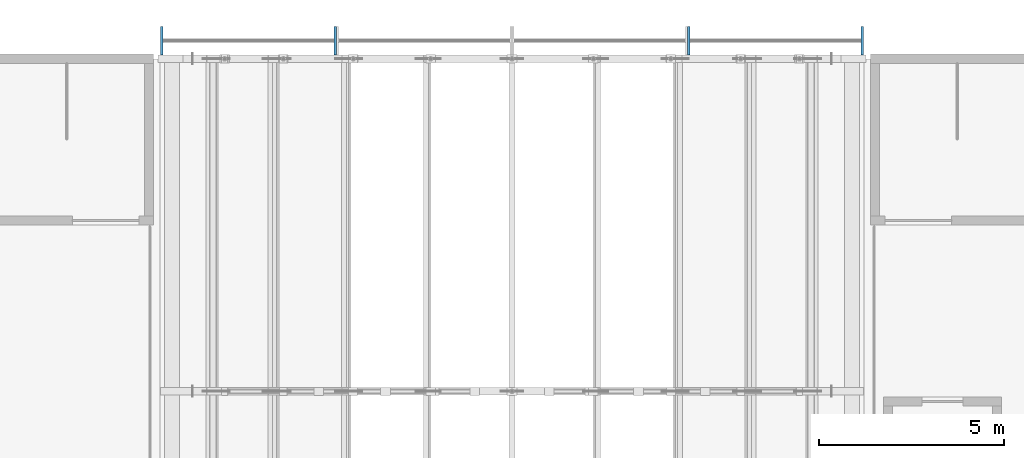
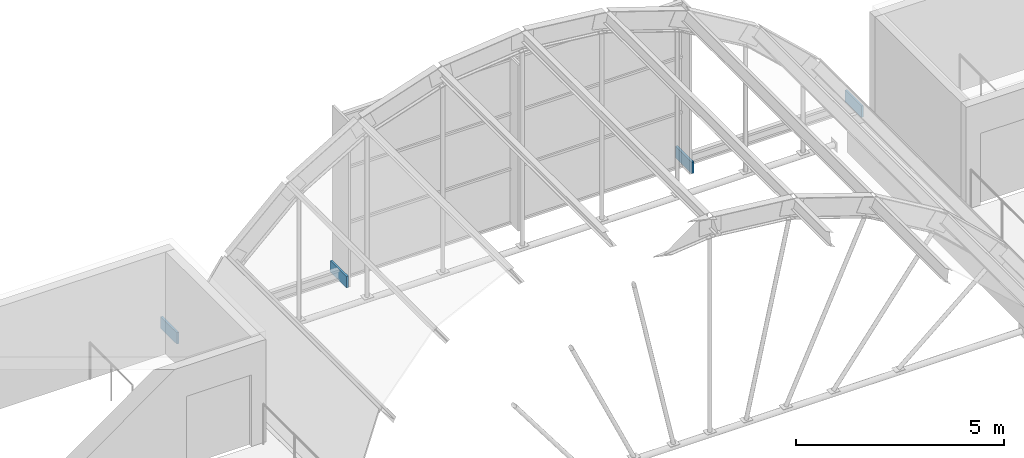
# One storey, part 39 of 79: 4 members, 2 elements without a shape of their own.
"""IFC4 building model written with IfcOpenShell, lengths in metres."""

from ifc_helpers import new_model, si_unit, direction, frame, origin, origin_2d, place, context, subcontext, project, spatial, rectangle, extrude, material, layer, layer_set, material_profile, profile_set, type_object, element, aggregate, save


model = new_model("IFC4")

# Units and contexts
model_context = context("Model", 3, precision=1e-05, world=origin(), true_north=direction((0.0, 1.0)))
body_context = subcontext(model_context, "Body", "Model", "MODEL_VIEW")
ifc_project = project(units=[si_unit("LENGTHUNIT", "METRE"), si_unit("AREAUNIT", "SQUARE_METRE"), si_unit("VOLUMEUNIT", "CUBIC_METRE"), si_unit("PLANEANGLEUNIT", "RADIAN"), si_unit("MASSUNIT", "GRAM", prefix="KILO")], contexts=[model_context])

# Site, building, storey
site_placement = place(None, origin())
site = spatial("IfcSite", under=ifc_project, at=site_placement, CompositionType="ELEMENT")
building_placement = place(site_placement, origin())
building = spatial("IfcBuilding", under=site, at=building_placement, Name="Guidao Yard Department Store", CompositionType="ELEMENT")
storey_placement = place(building_placement, frame((0.0, 0.0, 15.0)))
storey = spatial("IfcBuildingStorey", under=building, at=storey_placement, Name="L03", CompositionType="ELEMENT", Elevation=15.0)

# Curtain wall, members
ifc_material_1 = material(Name="Aluminium and glass", Category="aluminium")
ifc_layer = layer(ifc_material_1, 0.159912109375)
ifc_layer_set = layer_set([ifc_layer], Name="Gable glazing CW7 1500 module")
curtain_wall_type = type_object("IfcCurtainWallType", Name="Gable glazing CW7 1500 module", PredefinedType="NOTDEFINED", material=ifc_layer_set)
curtain_wall_1_placement = place(storey_placement, origin())
curtain_wall_1 = element("IfcCurtainWall", 1, at=curtain_wall_1_placement, inside=storey, type_object=curtain_wall_type, Name="Gable glazing CN1", PredefinedType="NOTDEFINED")
ifc_material_2 = material(Name="Aluminium 6063-T5", Category="aluminium")
ifc_material_profile = material_profile(ifc_material_2, rectangle(XDim=0.06005859375, YDim=0.780029296875, at=origin_2d()), Name="Mullion M3 60 x 780 aluminium pressure plate")
ifc_profile_set = profile_set([ifc_material_profile], Name="Aluminium 6063-T5")
member_type = type_object("IfcMemberType", Name="Mullion M3 60 x 780 aluminium pressure plate", PredefinedType="MULLION", material=ifc_profile_set)
member_1_placement = place(storey_placement, frame((80.518798828125, 108.489990234375, 0.0), z_axis=(0.0, 0.0, 1.0), x_axis=(1.0, 0.0, 0.0)))
member_1 = element("IfcMember", 2, at=member_1_placement, type_object=member_type, Name="CW-TCN1 mullion 1", PredefinedType="MULLION", context=body_context, shape_type="SweptSolid", body=[
    extrude(rectangle(XDim=0.06005859375, YDim=0.780029296875, at=origin_2d()), origin(), (0.0, 0.0, 1.0), 0.337158203125),
])
member_2_placement = place(storey_placement, frame((85.21435546875, 108.489990234375, 0.0), z_axis=(0.0, 0.0, 1.0), x_axis=(1.0, 0.0, 0.0)))
member_2 = element("IfcMember", 3, at=member_2_placement, type_object=member_type, Name="CW-TCN1 mullion 2", PredefinedType="MULLION", context=body_context, shape_type="SweptSolid", body=[
    extrude(rectangle(XDim=0.06005859375, YDim=0.780029296875, at=origin_2d()), origin(), (0.0, 0.0, 1.0), 0.337158203125),
])
aggregate(curtain_wall_1, [member_1, member_2])

curtain_wall_2_placement = place(storey_placement, origin())
curtain_wall_2 = element("IfcCurtainWall", 4, at=curtain_wall_2_placement, inside=storey, type_object=curtain_wall_type, Name="Gable glazing CN4", PredefinedType="NOTDEFINED")
member_3_placement = place(storey_placement, frame((94.78564453125, 108.489990234375, 0.0), z_axis=(0.0, 0.0, 1.0), x_axis=(1.0, 0.0, 0.0)))
member_3 = element("IfcMember", 5, at=member_3_placement, type_object=member_type, Name="CW-TCN4 mullion 1", PredefinedType="MULLION", context=body_context, shape_type="SweptSolid", body=[
    extrude(rectangle(XDim=0.06005859375, YDim=0.780029296875, at=origin_2d()), origin(), (0.0, 0.0, 1.0), 0.337158203125),
])
member_4_placement = place(storey_placement, frame((99.481201171875, 108.489990234375, 0.0), z_axis=(0.0, 0.0, 1.0), x_axis=(1.0, 0.0, 0.0)))
member_4 = element("IfcMember", 6, at=member_4_placement, type_object=member_type, Name="CW-TCN4 mullion 2", PredefinedType="MULLION", context=body_context, shape_type="SweptSolid", body=[
    extrude(rectangle(XDim=0.06005859375, YDim=0.780029296875, at=origin_2d()), origin(), (0.0, 0.0, 1.0), 0.337158203125),
])
aggregate(curtain_wall_2, [member_3, member_4])

save(model, "model.ifc")
